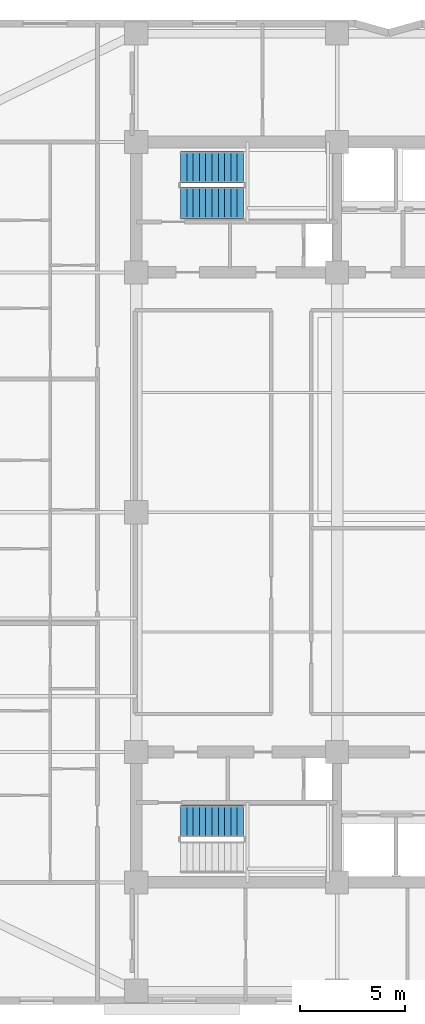
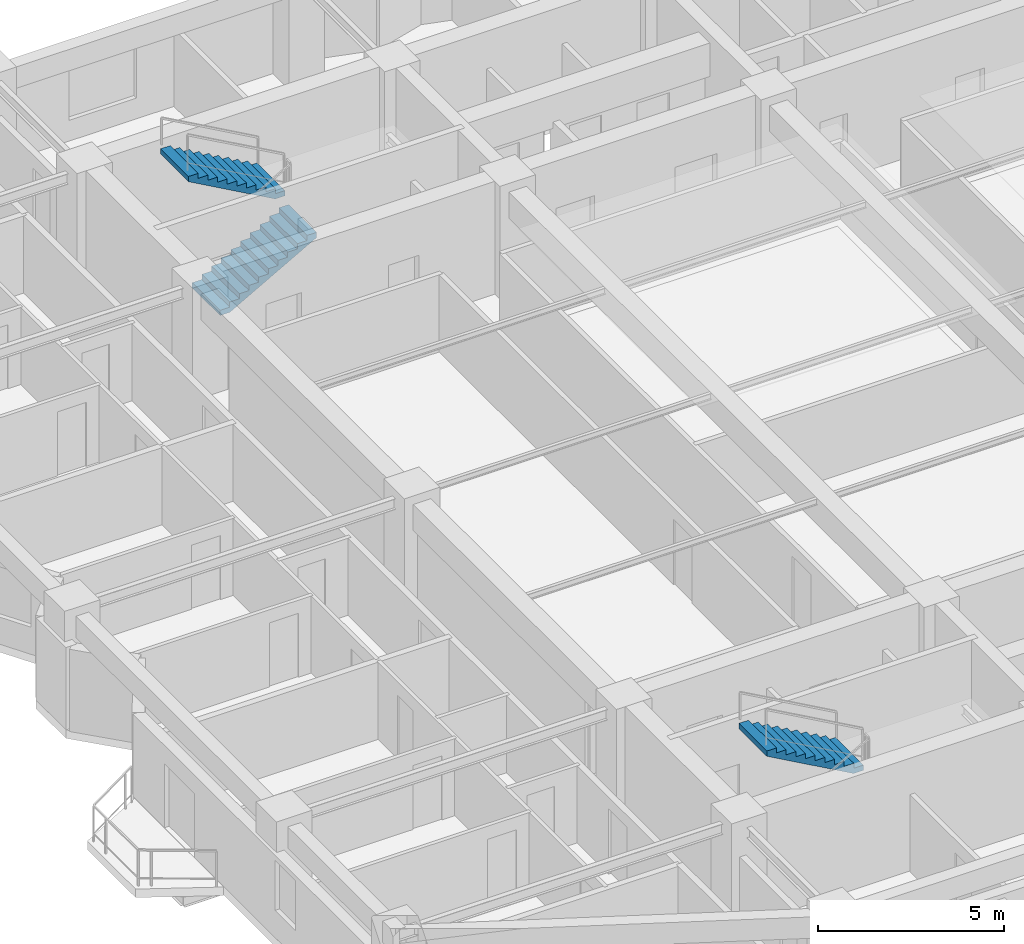
# One storey, part 8 of 11: 3 stair flights, 2 elements without a shape of their own.
"""IFC4 building model written with IfcOpenShell, lengths in metres."""

from ifc_helpers import new_model, si_unit, direction, frame, origin, place, context, subcontext, project, spatial, polyline, outline, extrude, material, type_object, element, aggregate, save


model = new_model("IFC4")

# Units and contexts
model_context = context("Model", 3, precision=1e-05, world=origin(), true_north=direction((0.0, 1.0)))
body_context = subcontext(model_context, "Body", "Model", "MODEL_VIEW")
ifc_project = project(units=[si_unit("LENGTHUNIT", "METRE"), si_unit("AREAUNIT", "SQUARE_METRE"), si_unit("VOLUMEUNIT", "CUBIC_METRE"), si_unit("PLANEANGLEUNIT", "RADIAN"), si_unit("MASSUNIT", "GRAM", prefix="KILO")], contexts=[model_context])

# Site, building, storey
site_placement = place(None, origin())
site = spatial("IfcSite", under=ifc_project, at=site_placement, CompositionType="ELEMENT")
building_placement = place(site_placement, origin())
building = spatial("IfcBuilding", under=site, at=building_placement, Name="Svetorya Sky Lyceum", CompositionType="ELEMENT")
storey_placement = place(building_placement, frame((0.0, 0.0, 106.800048828125)))
storey = spatial("IfcBuildingStorey", under=building, at=storey_placement, Name="L26", CompositionType="ELEMENT", Elevation=106.800048828125)

# Stair, stair flights
ifc_material = material(Name="Concrete C40/50", Category="concrete")
stair_type_1 = type_object("IfcStairType", Name="STR-ST-N", PredefinedType="HALF_TURN_STAIR", material=ifc_material)
stair_1_placement = place(storey_placement, origin())
stair_1 = element("IfcStair", 1, at=stair_1_placement, inside=storey, type_object=stair_type_1, Name="L26 North Core Smoke-Free Exit Stair N3", PredefinedType="HALF_TURN_STAIR")
stair_flight_type_1 = type_object("IfcStairFlightType", Name="SFL-ST-N", PredefinedType="STRAIGHT", material=ifc_material)
stair_flight_1_placement = place(storey_placement, frame((27.699951171875, 42.89990234375, 0.0), z_axis=(0.0, 0.0, 1.0), x_axis=(1.0, 0.0, 0.0)))
stair_flight_1 = element("IfcStairFlight", 2, at=stair_flight_1_placement, type_object=stair_flight_type_1, Name="ST-N flight 1", NumberOfRisers=11, NumberOfTreads=10, PredefinedType="STRAIGHT", RiserHeight=0.168181818, TreadLength=0.3, context=body_context, shape_type="SweptSolid", body=[
    extrude(outline(polyline([(0.0, 0.0), (0.0, 0.168212890625), (0.300048828125, 0.168212890625), (0.300048828125, 0.33642578125), (0.60009765625, 0.33642578125), (0.60009765625, 0.504638671875), (0.89990234375, 0.504638671875), (0.89990234375, 0.672607421875), (1.199951171875, 0.672607421875), (1.199951171875, 0.8408203125), (1.5, 0.8408203125), (1.5, 1.009033203125), (1.800048828125, 1.009033203125), (1.800048828125, 1.17724609375), (2.10009765625, 1.17724609375), (2.10009765625, 1.345458984375), (2.39990234375, 1.345458984375), (2.39990234375, 1.513671875), (2.699951171875, 1.513671875), (2.699951171875, 1.681884765625), (3.0, 1.681884765625), (3.0, 1.85009765625), (3.0, 1.510009765625), (0.306640625, 0.0), (0.0, 0.0)])), frame((0.0, 0.75, 0.0), z_axis=(0.0, -1.0, 0.0), x_axis=(1.0, 0.0, 0.0)), (0.0, 0.0, 1.0), 1.5),
])
stair_flight_2_placement = place(storey_placement, frame((30.699951171875, 44.60009765625, 1.849853515625), z_axis=(0.0, 0.0, 1.0), x_axis=(-1.0, 0.0, 0.0)))
stair_flight_2 = element("IfcStairFlight", 3, at=stair_flight_2_placement, type_object=stair_flight_type_1, Name="ST-N flight 2", NumberOfRisers=11, NumberOfTreads=10, PredefinedType="STRAIGHT", RiserHeight=0.168181818, TreadLength=0.3, context=body_context, shape_type="SweptSolid", body=[
    extrude(outline(polyline([(0.0, 0.0), (0.0, 0.168212890625), (0.300048828125, 0.168212890625), (0.300048828125, 0.33642578125), (0.60009765625, 0.33642578125), (0.60009765625, 0.504638671875), (0.89990234375, 0.504638671875), (0.89990234375, 0.672607421875), (1.199951171875, 0.672607421875), (1.199951171875, 0.8408203125), (1.5, 0.8408203125), (1.5, 1.009033203125), (1.800048828125, 1.009033203125), (1.800048828125, 1.17724609375), (2.10009765625, 1.17724609375), (2.10009765625, 1.345458984375), (2.39990234375, 1.345458984375), (2.39990234375, 1.513671875), (2.699951171875, 1.513671875), (2.699951171875, 1.681884765625), (3.0, 1.681884765625), (3.0, 1.85009765625), (3.0, 1.510009765625), (0.306640625, 0.0), (0.0, 0.0)])), frame((0.0, 0.75, 0.0), z_axis=(0.0, -1.0, 0.0), x_axis=(1.0, 0.0, 0.0)), (0.0, 0.0, 1.0), 1.5),
])
aggregate(stair_1, [stair_flight_1, stair_flight_2])

# Stair, stair flight
stair_type_2 = type_object("IfcStairType", Name="STR-ST-S", PredefinedType="HALF_TURN_STAIR", material=ifc_material)
stair_2_placement = place(storey_placement, origin())
stair_2 = element("IfcStair", 4, at=stair_2_placement, inside=storey, type_object=stair_type_2, Name="L26 South Core Smoke-Free Exit Stair N2", PredefinedType="HALF_TURN_STAIR")
stair_flight_type_2 = type_object("IfcStairFlightType", Name="SFL-ST-S", PredefinedType="STRAIGHT", material=ifc_material)
stair_flight_3_placement = place(storey_placement, frame((30.699951171875, 13.5, 1.849853515625), z_axis=(0.0, 0.0, 1.0), x_axis=(-1.0, 0.0, 0.0)))
stair_flight_3 = element("IfcStairFlight", 5, at=stair_flight_3_placement, type_object=stair_flight_type_2, Name="ST-S flight 2", NumberOfRisers=11, NumberOfTreads=10, PredefinedType="STRAIGHT", RiserHeight=0.168181818, TreadLength=0.3, context=body_context, shape_type="SweptSolid", body=[
    extrude(outline(polyline([(0.0, 0.0), (0.0, 0.168212890625), (0.300048828125, 0.168212890625), (0.300048828125, 0.33642578125), (0.60009765625, 0.33642578125), (0.60009765625, 0.504638671875), (0.89990234375, 0.504638671875), (0.89990234375, 0.672607421875), (1.199951171875, 0.672607421875), (1.199951171875, 0.8408203125), (1.5, 0.8408203125), (1.5, 1.009033203125), (1.800048828125, 1.009033203125), (1.800048828125, 1.17724609375), (2.10009765625, 1.17724609375), (2.10009765625, 1.345458984375), (2.39990234375, 1.345458984375), (2.39990234375, 1.513671875), (2.699951171875, 1.513671875), (2.699951171875, 1.681884765625), (3.0, 1.681884765625), (3.0, 1.85009765625), (3.0, 1.510009765625), (0.306640625, 0.0), (0.0, 0.0)])), frame((0.0, 0.75, 0.0), z_axis=(0.0, -1.0, 0.0), x_axis=(1.0, 0.0, 0.0)), (0.0, 0.0, 1.0), 1.5),
])
aggregate(stair_2, [stair_flight_3])

save(model, "model.ifc")
